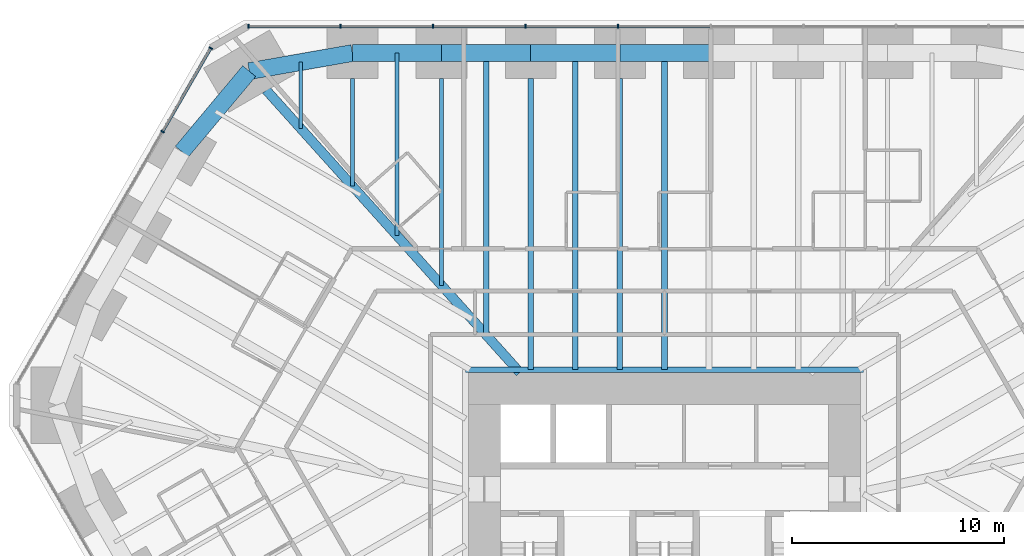
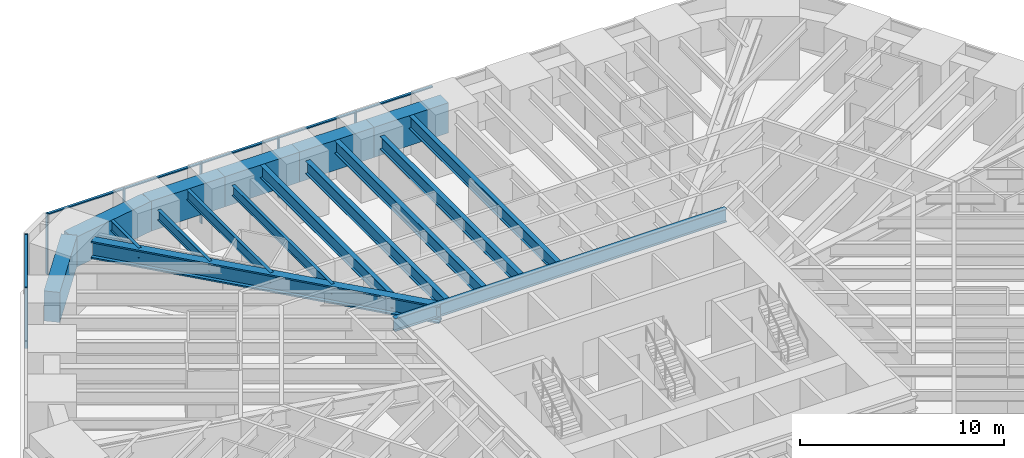
# One storey, part 8 of 17: 17 beams, 13 members, 2 elements without a shape of their own.
"""IFC4 building model written with IfcOpenShell, lengths in metres."""

import ifcopenshell
import ifcopenshell.guid

model = None  # the IFC model being written
_history = None  # IfcOwnerHistory: only IFC2X3 demands one
_inside = {}  # id of a spatial element -> (the spatial element, [elements in it])
_under = {}  # id of a project, library or spatial element -> (it, [spatial elements below it])
_declared = {}  # id of a project -> (the project, [libraries it declares])
_typed = {}  # id of a type object -> (the type object, [elements of that type])
_made_of = {}  # id of a material, layer set ... -> (it, [elements and type objects made of it])


def new_model(schema):
    """Start an empty IFC model of exactly this schema.

    Asked for "IFC4X3", IfcOpenShell would pick the latest addendum, in which some entities
    have other attributes; the version numbers below select the first issue.
    IFC2X3 requires an IfcOwnerHistory on every rooted entity: one is made here for all.
    """
    global model, _history
    if schema == "IFC4X3":
        model = ifcopenshell.file(schema_version=(4, 3, 0, 0))
    else:
        model = ifcopenshell.file(schema=schema)
    _inside.clear()
    _under.clear()
    _declared.clear()
    _typed.clear()
    _made_of.clear()
    _history = None
    if model.schema == "IFC2X3":
        org = make("IfcOrganization", Name="unknown")
        user = make(
            "IfcPersonAndOrganization",
            ThePerson=make("IfcPerson", FamilyName="unknown"),
            TheOrganization=org,
        )
        app = make(
            "IfcApplication",
            ApplicationDeveloper=org,
            Version="unknown",
            ApplicationFullName="unknown",
            ApplicationIdentifier="unknown",
        )
        _history = make(
            "IfcOwnerHistory",
            OwningUser=user,
            OwningApplication=app,
            ChangeAction="ADDED",
            CreationDate=0,
        )
    return model


def make(cls, **values):
    """One entity of the class cls with the attributes given. An attribute that is None is left unset."""
    return model.create_entity(
        cls, **{name: value for name, value in values.items() if value is not None}
    )


def rooted(cls, **values):
    """An entity with a GlobalId (a new one), such as an element, a storey or a relation."""
    return make(cls, GlobalId=ifcopenshell.guid.new(), OwnerHistory=_history, **values)


def si_unit(unit_type, name, prefix=None):
    """IfcSIUnit, for example si_unit("LENGTHUNIT", "METRE", prefix="MILLI")."""
    return make("IfcSIUnit", UnitType=unit_type, Prefix=prefix, Name=name)


def assignment(units):
    """IfcUnitAssignment: the units of a project."""
    return None if units is None else make("IfcUnitAssignment", Units=units)


def point(xyz):
    """IfcCartesianPoint."""
    return None if xyz is None else make("IfcCartesianPoint", Coordinates=xyz)


def direction(xyz):
    """IfcDirection."""
    return None if xyz is None else make("IfcDirection", DirectionRatios=xyz)


def frame(location, z_axis=None, x_axis=None):
    """IfcAxis2Placement3D, a coordinate frame: its origin and axes. An axis left out is left unset."""
    return make(
        "IfcAxis2Placement3D",
        Location=point(location),
        Axis=direction(z_axis),
        RefDirection=direction(x_axis),
    )


def frame_2d(location, x_axis=None):
    """IfcAxis2Placement2D, a coordinate frame in the plane: its origin and x axis."""
    return make(
        "IfcAxis2Placement2D", Location=point(location), RefDirection=direction(x_axis)
    )


def origin():
    """The frame at (0, 0, 0) with its axes left unset."""
    return frame((0.0, 0.0, 0.0))


def origin_2d():
    """The frame at (0, 0) in the plane with its x axis left unset."""
    return frame_2d((0.0, 0.0))


def place(relative_to, where):
    """IfcLocalPlacement: puts the frame where relative to a parent placement (None: the world)."""
    return make(
        "IfcLocalPlacement", PlacementRelTo=relative_to, RelativePlacement=where
    )


def context(
    kind, dimensions, precision=None, world=None, true_north=None, identifier=None
):
    """IfcGeometricRepresentationContext, for example the 3D "Model" context."""
    return make(
        "IfcGeometricRepresentationContext",
        ContextIdentifier=identifier,
        ContextType=kind,
        CoordinateSpaceDimension=dimensions,
        Precision=precision,
        WorldCoordinateSystem=world,
        TrueNorth=true_north,
    )


def subcontext(parent, identifier, kind, view, scale=None):
    """IfcGeometricRepresentationSubContext, for example "Body" below "Model"."""
    return make(
        "IfcGeometricRepresentationSubContext",
        ContextIdentifier=identifier,
        ContextType=kind,
        ParentContext=parent,
        TargetScale=scale,
        TargetView=view,
    )


def project(units=None, contexts=None):
    """IfcProject with its units and contexts."""
    return rooted(
        "IfcProject",
        Name="project",
        RepresentationContexts=contexts,
        UnitsInContext=assignment(units),
    )


def spatial(cls, under=None, at=None, **own):
    """A site, building, storey or space (cls), placed at a placement, below another one or the project."""
    s = rooted(cls, ObjectPlacement=at, **own)
    if under is not None:
        _under.setdefault(under.id(), (under, []))[1].append(s)
    return s


def profile(cls, at=None, kind="AREA", **sizes):
    """A parametric profile (cls). Its sizes go by their IFC names, for example OverallWidth=200.0."""
    return make(cls, ProfileType=kind, Position=at, **sizes)


def rectangle(**sizes):
    """IfcRectangleProfileDef."""
    return profile("IfcRectangleProfileDef", **sizes)


def i_section(**sizes):
    """IfcIShapeProfileDef."""
    return profile("IfcIShapeProfileDef", **sizes)


def extrude(swept, where, along, depth):
    """IfcExtrudedAreaSolid: the profile swept, set in the frame where, extruded along a direction by depth."""
    return make(
        "IfcExtrudedAreaSolid",
        SweptArea=swept,
        Position=where,
        ExtrudedDirection=direction(along),
        Depth=depth,
    )


def shape(context_of_items, identifier, shape_type, items):
    """IfcShapeRepresentation: the items that make up one representation, for example the "Body"."""
    return make(
        "IfcShapeRepresentation",
        ContextOfItems=context_of_items,
        RepresentationIdentifier=identifier,
        RepresentationType=shape_type,
        Items=items,
    )


def material(Name=None, Category=None):
    """IfcMaterial."""
    return make("IfcMaterial", Name=Name, Category=Category)


def material_profile(
    of_material, cross_section, Name=None, Category=None, Priority=None
):
    """IfcMaterialProfile: a cross section and its material."""
    return make(
        "IfcMaterialProfile",
        Name=Name,
        Material=of_material,
        Profile=cross_section,
        Priority=Priority,
        Category=Category,
    )


def profile_set(profiles, Name=None, composite=None):
    """IfcMaterialProfileSet."""
    return make(
        "IfcMaterialProfileSet",
        Name=Name,
        MaterialProfiles=profiles,
        CompositeProfile=composite,
    )


def made_of(thing, what):
    """Note that an element or type object is made of a material, layer set ...; save() writes the relation."""
    if what is not None:
        _made_of.setdefault(what.id(), (what, []))[1].append(thing)
    return thing


def type_object(cls, material=None, **own):
    """A type object (cls), such as IfcWallType, which elements share."""
    return made_of(rooted(cls, **own), material)


def element(
    cls,
    number,
    at=None,
    inside=None,
    cuts=None,
    type_object=None,
    material=None,
    context=None,
    identifier="Body",
    shape_type=None,
    held_by="IfcProductDefinitionShape",
    body=None,
    shapes=None,
    **own,
):
    """One element of the class cls, such as IfcWall. Its Tag is "e" and its number.

    at: its placement. inside: the storey or other place that contains it. cuts: it is an
    opening in that element (IfcRelVoidsElement). A single representation is given by context,
    identifier, shape_type and body (its items); several are given by shapes. held_by: the class
    of the entity that holds the representations. save() writes the other relations.
    """
    e = rooted(cls, Tag="e%d" % number, ObjectPlacement=at, **own)
    if body is not None:
        shapes = [shape(context, identifier, shape_type, body)]
    if shapes is not None:
        e.Representation = make(held_by, Representations=shapes)
    if inside is not None:
        _inside.setdefault(inside.id(), (inside, []))[1].append(e)
    if cuts is not None:
        rooted(
            "IfcRelVoidsElement", RelatingBuildingElement=cuts, RelatedOpeningElement=e
        )
    if type_object is not None:
        _typed.setdefault(type_object.id(), (type_object, []))[1].append(e)
    return made_of(e, material)


def aggregate(whole, parts):
    """IfcRelAggregates: a whole, such as a stair, and the parts it consists of."""
    return rooted("IfcRelAggregates", RelatingObject=whole, RelatedObjects=parts)


def save(model, path):
    """Write the relations noted so far, then the file.

    IfcRelAggregates (storeys below a building ...), IfcRelContainedInSpatialStructure (elements
    in a storey), IfcRelDefinesByType, IfcRelAssociatesMaterial and IfcRelDeclares: one each for
    every whole, place, type object, material and project.
    """
    for whole, parts in _under.values():
        aggregate(whole, parts)
    for where, things in _inside.values():
        rooted(
            "IfcRelContainedInSpatialStructure",
            RelatedElements=things,
            RelatingStructure=where,
        )
    for kind, things in _typed.values():
        rooted("IfcRelDefinesByType", RelatedObjects=things, RelatingType=kind)
    for what, things in _made_of.values():
        rooted("IfcRelAssociatesMaterial", RelatedObjects=things, RelatingMaterial=what)
    for by, libraries in _declared.values():
        rooted("IfcRelDeclares", RelatingContext=by, RelatedDefinitions=libraries)
    model.write(path)


model = new_model("IFC4")

# Units and contexts
model_context = context("Model", 3, precision=1e-05, world=origin(), true_north=direction((0.0, 1.0)))
body_context = subcontext(model_context, "Body", "Model", "MODEL_VIEW")
ifc_project = project(units=[si_unit("LENGTHUNIT", "METRE"), si_unit("AREAUNIT", "SQUARE_METRE"), si_unit("VOLUMEUNIT", "CUBIC_METRE"), si_unit("PLANEANGLEUNIT", "RADIAN"), si_unit("MASSUNIT", "GRAM", prefix="KILO")], contexts=[model_context])

# Site, building, storey
site_placement = place(None, origin())
site = spatial("IfcSite", under=ifc_project, at=site_placement, CompositionType="ELEMENT")
building_placement = place(site_placement, origin())
building = spatial("IfcBuilding", under=site, at=building_placement, Name="Sandreach Pilgrim Tower", CompositionType="ELEMENT")
storey_placement = place(building_placement, frame((0.0, 0.0, 30.60009765625)))
storey = spatial("IfcBuildingStorey", under=building, at=storey_placement, Name="L06", CompositionType="ELEMENT", Elevation=30.60009765625)

# Curtain wall, members
ifc_material_1 = material(Name="Aluminium framed curtain wall", Category="aluminium")
curtain_wall_type = type_object("IfcCurtainWallType", Name="Hostel tower curtain wall", PredefinedType="NOTDEFINED", material=ifc_material_1)
curtain_wall_1_placement = place(storey_placement, origin())
curtain_wall_1 = element("IfcCurtainWall", 1, at=curtain_wall_1_placement, inside=storey, type_object=curtain_wall_type, Name="CW-1 L06 N", PredefinedType="NOTDEFINED")
ifc_material_2 = material(Name="Aluminium extrusion", Category="aluminium")
ifc_material_profile_1 = material_profile(ifc_material_2, rectangle(XDim=0.06494140625, YDim=0.179931640625, at=origin_2d()), Name="CW-1M 65X180")
ifc_profile_set_1 = profile_set([ifc_material_profile_1], Name="Aluminium extrusion")
member_type_1 = type_object("IfcMemberType", Name="CW-1 mullion", PredefinedType="MULLION", material=ifc_profile_set_1)
member_1_placement = place(storey_placement, frame((-19.6396484375, 23.94873046875, 0.0), z_axis=(0.0, 0.0, 1.0), x_axis=(1.0, 0.0, 0.0)))
member_1 = element("IfcMember", 2, at=member_1_placement, type_object=member_type_1, Name="CW-1 mullion 1", PredefinedType="MULLION", context=body_context, shape_type="SweptSolid", body=[
    extrude(rectangle(XDim=0.06494140625, YDim=0.179931640625, at=origin_2d()), origin(), (0.0, 0.0, 1.0), 3.639892578125),
])
member_2_placement = place(storey_placement, frame((-15.300537109375, 23.94873046875, 0.0), z_axis=(0.0, 0.0, 1.0), x_axis=(1.0, 0.0, 0.0)))
member_2 = element("IfcMember", 3, at=member_2_placement, type_object=member_type_1, Name="CW-1 mullion 2", PredefinedType="MULLION", context=body_context, shape_type="SweptSolid", body=[
    extrude(rectangle(XDim=0.06494140625, YDim=0.179931640625, at=origin_2d()), origin(), (0.0, 0.0, 1.0), 3.639892578125),
])
member_3_placement = place(storey_placement, frame((-10.928955078125, 23.94873046875, 0.0), z_axis=(0.0, 0.0, 1.0), x_axis=(1.0, 0.0, 0.0)))
member_3 = element("IfcMember", 4, at=member_3_placement, type_object=member_type_1, Name="CW-1 mullion 3", PredefinedType="MULLION", context=body_context, shape_type="SweptSolid", body=[
    extrude(rectangle(XDim=0.06494140625, YDim=0.179931640625, at=origin_2d()), origin(), (0.0, 0.0, 1.0), 3.639892578125),
])
member_4_placement = place(storey_placement, frame((-6.557373046875, 23.94873046875, 0.0), z_axis=(0.0, 0.0, 1.0), x_axis=(1.0, 0.0, 0.0)))
member_4 = element("IfcMember", 5, at=member_4_placement, type_object=member_type_1, Name="CW-1 mullion 4", PredefinedType="MULLION", context=body_context, shape_type="SweptSolid", body=[
    extrude(rectangle(XDim=0.06494140625, YDim=0.179931640625, at=origin_2d()), origin(), (0.0, 0.0, 1.0), 3.639892578125),
])
member_5_placement = place(storey_placement, frame((-2.185791015625, 23.94873046875, 0.0), z_axis=(0.0, 0.0, 1.0), x_axis=(1.0, 0.0, 0.0)))
member_5 = element("IfcMember", 6, at=member_5_placement, type_object=member_type_1, Name="CW-1 mullion 5", PredefinedType="MULLION", context=body_context, shape_type="SweptSolid", body=[
    extrude(rectangle(XDim=0.06494140625, YDim=0.179931640625, at=origin_2d()), origin(), (0.0, 0.0, 1.0), 3.639892578125),
])

curtain_wall_2_placement = place(storey_placement, origin())
curtain_wall_2 = element("IfcCurtainWall", 7, at=curtain_wall_2_placement, inside=storey, type_object=curtain_wall_type, Name="CW-1 L06 NW", PredefinedType="NOTDEFINED")
member_6_placement = place(storey_placement, frame((-23.697265625, 18.97705078125, 0.0), z_axis=(0.0, 0.0, 1.0), x_axis=(0.5, 0.866025403784, 0.0)))
member_6 = element("IfcMember", 8, at=member_6_placement, type_object=member_type_1, Name="CW-1 mullion 4", PredefinedType="MULLION", context=body_context, shape_type="SweptSolid", body=[
    extrude(rectangle(XDim=0.06494140625, YDim=0.179931640625, at=origin_2d()), origin(), (0.0, 0.0, 1.0), 3.639892578125),
])
member_7_placement = place(storey_placement, frame((-21.42041015625, 22.920654296875, 0.0), z_axis=(0.0, 0.0, 1.0), x_axis=(0.5, 0.866025403784, 0.0)))
member_7 = element("IfcMember", 9, at=member_7_placement, type_object=member_type_1, Name="CW-1 mullion 5", PredefinedType="MULLION", context=body_context, shape_type="SweptSolid", body=[
    extrude(rectangle(XDim=0.06494140625, YDim=0.179931640625, at=origin_2d()), origin(), (0.0, 0.0, 1.0), 3.639892578125),
])

# Member
ifc_material_3 = material(Name="Aluminium extrusion", Category="aluminium")
ifc_material_profile_2 = material_profile(ifc_material_3, rectangle(XDim=0.139892578125, YDim=0.070068359375, at=origin_2d()), Name="CW-1T 140X70")
ifc_profile_set_2 = profile_set([ifc_material_profile_2], Name="Aluminium extrusion")
member_type_2 = type_object("IfcMemberType", Name="CW-1 transom", PredefinedType="USERDEFINED", material=ifc_profile_set_2)
member_8_placement = place(storey_placement, frame((-19.607177734375, 23.94873046875, 3.60498046875), z_axis=(1.0, 0.0, 0.0), x_axis=(0.0, 1.0, 0.0)))
member_8 = element("IfcMember", 10, at=member_8_placement, type_object=member_type_2, Name="CW-1 head transom 1", ObjectType="TRANSOM", PredefinedType="USERDEFINED", context=body_context, shape_type="SweptSolid", body=[
    extrude(rectangle(XDim=0.139892578125, YDim=0.070068359375, at=origin_2d()), origin(), (0.0, 0.0, 1.0), 4.274169921875),
])

member_9_placement = place(storey_placement, frame((-15.26806640625, 23.94873046875, 3.60498046875), z_axis=(1.0, 0.0, 0.0), x_axis=(0.0, 1.0, 0.0)))
member_9 = element("IfcMember", 11, at=member_9_placement, type_object=member_type_2, Name="CW-1 head transom 2", ObjectType="TRANSOM", PredefinedType="USERDEFINED", context=body_context, shape_type="SweptSolid", body=[
    extrude(rectangle(XDim=0.139892578125, YDim=0.070068359375, at=origin_2d()), origin(), (0.0, 0.0, 1.0), 4.306640625),
])

member_10_placement = place(storey_placement, frame((-10.896484375, 23.94873046875, 3.60498046875), z_axis=(1.0, 0.0, 0.0), x_axis=(0.0, 1.0, 0.0)))
member_10 = element("IfcMember", 12, at=member_10_placement, type_object=member_type_2, Name="CW-1 head transom 3", ObjectType="TRANSOM", PredefinedType="USERDEFINED", context=body_context, shape_type="SweptSolid", body=[
    extrude(rectangle(XDim=0.139892578125, YDim=0.070068359375, at=origin_2d()), origin(), (0.0, 0.0, 1.0), 4.306640625),
])

member_11_placement = place(storey_placement, frame((-6.52490234375, 23.94873046875, 3.60498046875), z_axis=(1.0, 0.0, 0.0), x_axis=(0.0, 1.0, 0.0)))
member_11 = element("IfcMember", 13, at=member_11_placement, type_object=member_type_2, Name="CW-1 head transom 4", ObjectType="TRANSOM", PredefinedType="USERDEFINED", context=body_context, shape_type="SweptSolid", body=[
    extrude(rectangle(XDim=0.139892578125, YDim=0.070068359375, at=origin_2d()), origin(), (0.0, 0.0, 1.0), 4.306640625),
])

member_12_placement = place(storey_placement, frame((-2.1533203125, 23.94873046875, 3.60498046875), z_axis=(1.0, 0.0, 0.0), x_axis=(0.0, 1.0, 0.0)))
member_12 = element("IfcMember", 14, at=member_12_placement, type_object=member_type_2, Name="CW-1 head transom 5", ObjectType="TRANSOM", PredefinedType="USERDEFINED", context=body_context, shape_type="SweptSolid", body=[
    extrude(rectangle(XDim=0.139892578125, YDim=0.070068359375, at=origin_2d()), origin(), (0.0, 0.0, 1.0), 4.306640625),
])

aggregate(curtain_wall_1, [member_1, member_2, member_3, member_4, member_5, member_8, member_9, member_10, member_11, member_12])

member_13_placement = place(storey_placement, frame((-23.680908203125, 19.005126953125, 3.60498046875), z_axis=(0.500017500808, 0.866015299452, 0.0), x_axis=(-0.866015299452, 0.500017500808, 0.0)))
member_13 = element("IfcMember", 15, at=member_13_placement, type_object=member_type_2, Name="CW-1 head transom 4", ObjectType="TRANSOM", PredefinedType="USERDEFINED", context=body_context, shape_type="SweptSolid", body=[
    extrude(rectangle(XDim=0.139892578125, YDim=0.070068359375, at=origin_2d()), origin(), (0.0, 0.0, 1.0), 4.488525390625),
])

aggregate(curtain_wall_2, [member_6, member_7, member_13])

# Beams
ifc_material_4 = material(Name="Steel ASTM A992 Grade 50", Category="steel")
ifc_material_profile_3 = material_profile(ifc_material_4, i_section(OverallWidth=0.2666015625, OverallDepth=0.77978515625, WebThickness=0.0166015625, FlangeThickness=0.030029296875, at=origin_2d()), Name="W30X148")
ifc_profile_set_3 = profile_set([ifc_material_profile_3], Name="Steel ASTM A992 Grade 50")
beam_type_1 = type_object("IfcBeamType", Name="Core edge beam W30X148", PredefinedType="BEAM", material=ifc_profile_set_3)
beam_1_placement = place(storey_placement, frame((-9.393310546875, 7.743408203125, 3.25), z_axis=(1.0, 0.0, 0.0), x_axis=(0.0, 1.0, 0.0)))
element("IfcBeam", 16, at=beam_1_placement, inside=storey, type_object=beam_type_1, Name="BM L06 CEN", PredefinedType="BEAM", context=body_context, shape_type="SweptSolid", body=[
    extrude(i_section(OverallWidth=0.2666015625, OverallDepth=0.77978515625, WebThickness=0.0166015625, FlangeThickness=0.030029296875, at=origin_2d()), origin(), (0.0, 0.0, 1.0), 18.78662109375),
])
ifc_material_5 = material(Name="Steel ASTM A992 Grade 50", Category="steel")
ifc_material_profile_4 = material_profile(ifc_material_5, i_section(OverallWidth=0.447021484375, OverallDepth=1.0439453125, WebThickness=0.050048828125, FlangeThickness=0.08984375, at=origin_2d()), Name="W36X652")
ifc_profile_set_4 = profile_set([ifc_material_profile_4], Name="Steel ASTM A992 Grade 50")
beam_type_2 = type_object("IfcBeamType", Name="Corner girder W36X652", PredefinedType="BEAM", material=ifc_profile_set_4)
beam_2_placement = place(storey_placement, frame((-18.8046875, 20.94189453125, 3.117919921875), z_axis=(0.668127834846, -0.74404650144, 0.0), x_axis=(0.74404650144, 0.668127834846, 0.0)))
element("IfcBeam", 17, at=beam_2_placement, inside=storey, type_object=beam_type_2, Name="BM L06 CG39", PredefinedType="BEAM", context=body_context, shape_type="SweptSolid", body=[
    extrude(i_section(OverallWidth=0.447021484375, OverallDepth=1.0439453125, WebThickness=0.050048828125, FlangeThickness=0.08984375, at=origin_2d()), origin(), (0.0, 0.0, 1.0), 17.931396484375),
])
ifc_material_6 = material(Name="Steel ASTM A992 Grade 50", Category="steel")
ifc_material_profile_5 = material_profile(ifc_material_6, i_section(OverallWidth=0.1787109375, OverallDepth=0.60205078125, WebThickness=0.010986328125, FlangeThickness=0.014892578125, at=origin_2d()), Name="W24X62")
ifc_profile_set_5 = profile_set([ifc_material_profile_5], Name="Steel ASTM A992 Grade 50")
beam_type_3 = type_object("IfcBeamType", Name="Floor beam W24X62", PredefinedType="BEAM", material=ifc_profile_set_5)
beam_3_placement = place(storey_placement, frame((-14.734619140625, 21.48876953125, 3.3388671875), z_axis=(0.0, -1.0, 0.0), x_axis=(1.0, 0.0, 0.0)))
element("IfcBeam", 18, at=beam_3_placement, inside=storey, type_object=beam_type_3, Name="BM L06 F01", PredefinedType="BEAM", context=body_context, shape_type="SweptSolid", body=[
    extrude(i_section(OverallWidth=0.1787109375, OverallDepth=0.60205078125, WebThickness=0.010986328125, FlangeThickness=0.014892578125, at=origin_2d()), origin(), (0.0, 0.0, 1.0), 5.079345703125),
])
beam_4_placement = place(storey_placement, frame((-10.52490234375, 21.48876953125, 3.3388671875), z_axis=(0.0, -1.0, 0.0), x_axis=(1.0, 0.0, 0.0)))
element("IfcBeam", 19, at=beam_4_placement, inside=storey, type_object=beam_type_3, Name="BM L06 F02", PredefinedType="BEAM", context=body_context, shape_type="SweptSolid", body=[
    extrude(i_section(OverallWidth=0.1787109375, OverallDepth=0.60205078125, WebThickness=0.010986328125, FlangeThickness=0.014892578125, at=origin_2d()), origin(), (0.0, 0.0, 1.0), 9.767822265625),
])
beam_5_placement = place(storey_placement, frame((-12.629638671875, 22.688720703125, 3.3388671875), z_axis=(0.0, -1.0, 0.0), x_axis=(1.0, 0.0, 0.0)))
element("IfcBeam", 20, at=beam_5_placement, inside=storey, type_object=beam_type_3, Name="BM L06 FM01", PredefinedType="BEAM", context=body_context, shape_type="SweptSolid", body=[
    extrude(i_section(OverallWidth=0.1787109375, OverallDepth=0.60205078125, WebThickness=0.010986328125, FlangeThickness=0.014892578125, at=origin_2d()), origin(), (0.0, 0.0, 1.0), 8.62353515625),
])
beam_6_placement = place(storey_placement, frame((-17.17041015625, 22.26171875, 3.3388671875), z_axis=(0.0, -1.0, 0.0), x_axis=(1.0, 0.0, 0.0)))
element("IfcBeam", 21, at=beam_6_placement, inside=storey, type_object=beam_type_3, Name="BM L06 FM39", PredefinedType="BEAM", context=body_context, shape_type="SweptSolid", body=[
    extrude(i_section(OverallWidth=0.1787109375, OverallDepth=0.60205078125, WebThickness=0.010986328125, FlangeThickness=0.014892578125, at=origin_2d()), origin(), (0.0, 0.0, 1.0), 3.1396484375),
])
ifc_material_7 = material(Name="Steel ASTM A992 Grade 50", Category="steel")
ifc_material_profile_6 = material_profile(ifc_material_7, i_section(OverallWidth=0.2666015625, OverallDepth=0.761962890625, WebThickness=0.014404296875, FlangeThickness=0.021484375, at=origin_2d()), Name="W30X116")
ifc_profile_set_6 = profile_set([ifc_material_profile_6], Name="Steel ASTM A992 Grade 50")
beam_type_4 = type_object("IfcBeamType", Name="Floor beam W30X116", PredefinedType="BEAM", material=ifc_profile_set_6)
for number, where, z_axis, x_axis, name in (
    (22, (-6.31494140625, 21.48876953125, 3.2587890625), (0.0, -1.0, 0.0), (1.0, 0.0, 0.0), "BM L06 F03"),
    (23, (-2.10498046875, 21.48876953125, 3.2587890625), (0.0, -1.0, 0.0), (1.0, 0.0, 0.0), "BM L06 F04"),
):
    element("IfcBeam", number, at=place(storey_placement, frame(where, z_axis=z_axis, x_axis=x_axis)), inside=storey, type_object=beam_type_4, Name=name, PredefinedType="BEAM", context=body_context, shape_type="SweptSolid", body=[
        extrude(i_section(OverallWidth=0.2666015625, OverallDepth=0.761962890625, WebThickness=0.014404296875, FlangeThickness=0.021484375, at=origin_2d()), origin(), (0.0, 0.0, 1.0), 13.745361328125),
    ])
beam_7_placement = place(storey_placement, frame((-8.419921875, 22.688720703125, 3.2587890625), z_axis=(0.0, -1.0, 0.0), x_axis=(1.0, 0.0, 0.0)))
element("IfcBeam", 24, at=beam_7_placement, inside=storey, type_object=beam_type_4, Name="BM L06 FM02", PredefinedType="BEAM", context=body_context, shape_type="SweptSolid", body=[
    extrude(i_section(OverallWidth=0.2666015625, OverallDepth=0.761962890625, WebThickness=0.014404296875, FlangeThickness=0.021484375, at=origin_2d()), origin(), (0.0, 0.0, 1.0), 13.311767578125),
])
for number, where, z_axis, x_axis, name in (
    (25, (-4.2099609375, 22.688720703125, 3.2587890625), (0.0, -1.0, 0.0), (1.0, 0.0, 0.0), "BM L06 FM03"),
    (26, (0.0, 22.688720703125, 3.2587890625), (0.0, -1.0, 0.0), (1.0, 0.0, 0.0), "BM L06 FM04"),
):
    element("IfcBeam", number, at=place(storey_placement, frame(where, z_axis=z_axis, x_axis=x_axis)), inside=storey, type_object=beam_type_4, Name=name, PredefinedType="BEAM", context=body_context, shape_type="SweptSolid", body=[
        extrude(i_section(OverallWidth=0.2666015625, OverallDepth=0.761962890625, WebThickness=0.014404296875, FlangeThickness=0.021484375, at=origin_2d()), origin(), (0.0, 0.0, 1.0), 14.9453125),
    ])
ifc_material_8 = material(Name="Concrete 10000 psi", Category="concrete")
ifc_material_profile_7 = material_profile(ifc_material_8, rectangle(XDim=0.800048828125, YDim=1.800048828125, at=origin_2d()), Name="RC800X1800")
ifc_profile_set_7 = profile_set([ifc_material_profile_7], Name="Concrete 10000 psi")
beam_type_5 = type_object("IfcBeamType", Name="Spandrel beam RC800X1800", PredefinedType="SPANDREL", material=ifc_profile_set_7)
beam_8_placement = place(storey_placement, frame((-14.734619140625, 22.688720703125, 2.739990234375), z_axis=(1.0, 0.0, 0.0), x_axis=(0.0, 1.0, 0.0)))
element("IfcBeam", 27, at=beam_8_placement, inside=storey, type_object=beam_type_5, Name="BM L06 SP01", PredefinedType="SPANDREL", context=body_context, shape_type="SweptSolid", body=[
    extrude(rectangle(XDim=0.800048828125, YDim=1.800048828125, at=origin_2d()), origin(), (0.0, 0.0, 1.0), 4.209716796875),
])
for number, where, z_axis, x_axis, name in (
    (28, (-10.52490234375, 22.688720703125, 2.739990234375), (1.0, 0.0, 0.0), (0.0, 1.0, 0.0), "BM L06 SP02"),
    (29, (-6.31494140625, 22.688720703125, 2.739990234375), (1.0, 0.0, 0.0), (0.0, 1.0, 0.0), "BM L06 SP03"),
    (30, (-2.10498046875, 22.688720703125, 2.739990234375), (1.0, 0.0, 0.0), (0.0, 1.0, 0.0), "BM L06 SP04"),
):
    element("IfcBeam", number, at=place(storey_placement, frame(where, z_axis=z_axis, x_axis=x_axis)), inside=storey, type_object=beam_type_5, Name=name, PredefinedType="SPANDREL", context=body_context, shape_type="SweptSolid", body=[
        extrude(rectangle(XDim=0.800048828125, YDim=1.800048828125, at=origin_2d()), origin(), (0.0, 0.0, 1.0), 4.2099609375),
    ])
beam_9_placement = place(storey_placement, frame((-22.787841796875, 18.031982421875, 2.739990234375), z_axis=(0.641665295114, 0.766984777584, 0.0), x_axis=(-0.766984777584, 0.641665295114, 0.0)))
element("IfcBeam", 31, at=beam_9_placement, inside=storey, type_object=beam_type_5, Name="BM L06 SP38", PredefinedType="SPANDREL", context=body_context, shape_type="SweptSolid", body=[
    extrude(rectangle(XDim=0.800048828125, YDim=1.800048828125, at=origin_2d()), origin(), (0.0, 0.0, 1.0), 4.9580078125),
])
beam_10_placement = place(storey_placement, frame((-19.6064453125, 21.834716796875, 2.739990234375), z_axis=(0.984981186582, 0.172661698355, 0.0), x_axis=(-0.172661698355, 0.984981186582, 0.0)))
element("IfcBeam", 32, at=beam_10_placement, inside=storey, type_object=beam_type_5, Name="BM L06 SP39", PredefinedType="SPANDREL", context=body_context, shape_type="SweptSolid", body=[
    extrude(rectangle(XDim=0.800048828125, YDim=1.800048828125, at=origin_2d()), origin(), (0.0, 0.0, 1.0), 4.946044921875),
])

save(model, "model.ifc")
